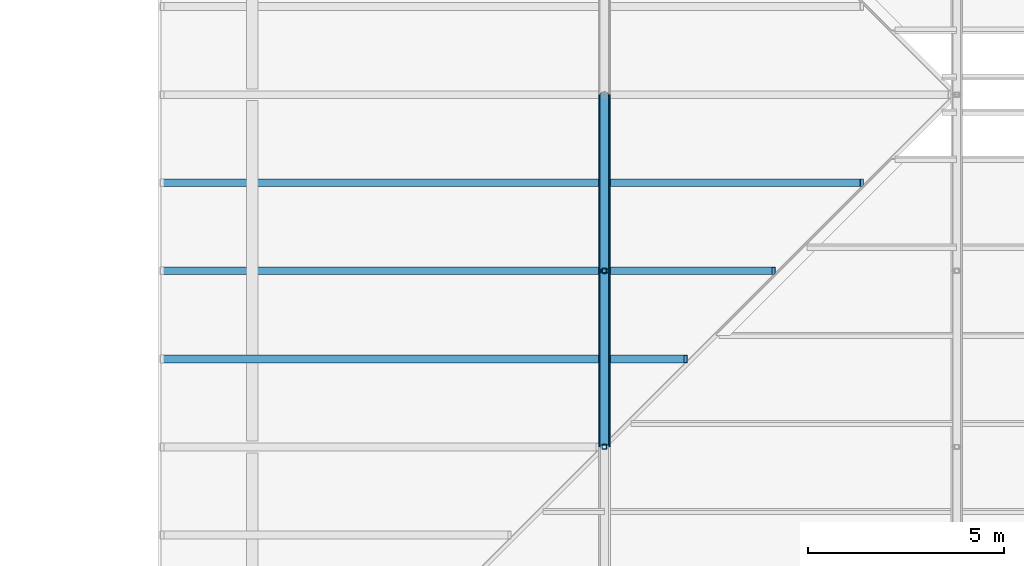
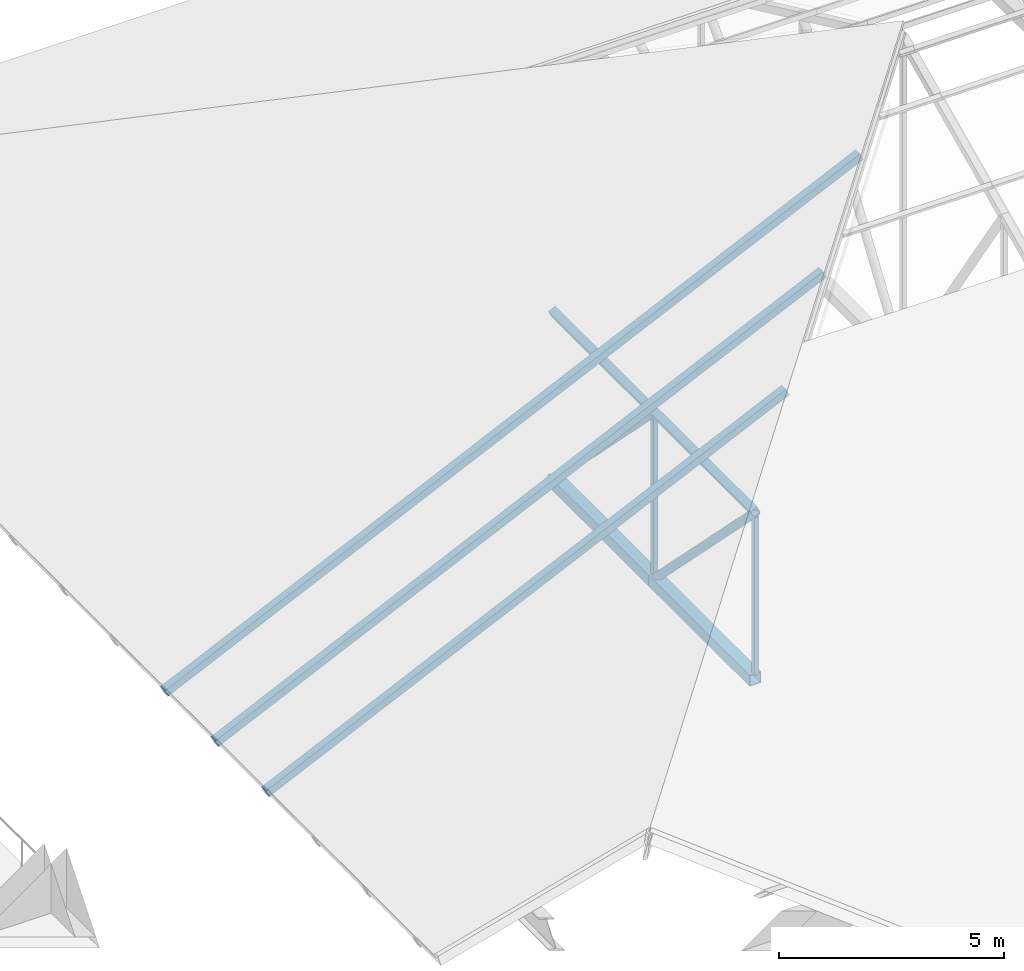
# One storey, part 50 of 154: 11 members.
"""IFC4 building model written with IfcOpenShell, lengths in metres."""

import ifcopenshell
import ifcopenshell.guid

model = None  # the IFC model being written
_history = None  # IfcOwnerHistory: only IFC2X3 demands one
_inside = {}  # id of a spatial element -> (the spatial element, [elements in it])
_under = {}  # id of a project, library or spatial element -> (it, [spatial elements below it])
_declared = {}  # id of a project -> (the project, [libraries it declares])
_typed = {}  # id of a type object -> (the type object, [elements of that type])
_made_of = {}  # id of a material, layer set ... -> (it, [elements and type objects made of it])


def new_model(schema):
    """Start an empty IFC model of exactly this schema.

    Asked for "IFC4X3", IfcOpenShell would pick the latest addendum, in which some entities
    have other attributes; the version numbers below select the first issue.
    IFC2X3 requires an IfcOwnerHistory on every rooted entity: one is made here for all.
    """
    global model, _history
    if schema == "IFC4X3":
        model = ifcopenshell.file(schema_version=(4, 3, 0, 0))
    else:
        model = ifcopenshell.file(schema=schema)
    _inside.clear()
    _under.clear()
    _declared.clear()
    _typed.clear()
    _made_of.clear()
    _history = None
    if model.schema == "IFC2X3":
        org = make("IfcOrganization", Name="unknown")
        user = make(
            "IfcPersonAndOrganization",
            ThePerson=make("IfcPerson", FamilyName="unknown"),
            TheOrganization=org,
        )
        app = make(
            "IfcApplication",
            ApplicationDeveloper=org,
            Version="unknown",
            ApplicationFullName="unknown",
            ApplicationIdentifier="unknown",
        )
        _history = make(
            "IfcOwnerHistory",
            OwningUser=user,
            OwningApplication=app,
            ChangeAction="ADDED",
            CreationDate=0,
        )
    return model


def make(cls, **values):
    """One entity of the class cls with the attributes given. An attribute that is None is left unset."""
    return model.create_entity(
        cls, **{name: value for name, value in values.items() if value is not None}
    )


def rooted(cls, **values):
    """An entity with a GlobalId (a new one), such as an element, a storey or a relation."""
    return make(cls, GlobalId=ifcopenshell.guid.new(), OwnerHistory=_history, **values)


def si_unit(unit_type, name, prefix=None):
    """IfcSIUnit, for example si_unit("LENGTHUNIT", "METRE", prefix="MILLI")."""
    return make("IfcSIUnit", UnitType=unit_type, Prefix=prefix, Name=name)


def assignment(units):
    """IfcUnitAssignment: the units of a project."""
    return None if units is None else make("IfcUnitAssignment", Units=units)


def point(xyz):
    """IfcCartesianPoint."""
    return None if xyz is None else make("IfcCartesianPoint", Coordinates=xyz)


def direction(xyz):
    """IfcDirection."""
    return None if xyz is None else make("IfcDirection", DirectionRatios=xyz)


def frame(location, z_axis=None, x_axis=None):
    """IfcAxis2Placement3D, a coordinate frame: its origin and axes. An axis left out is left unset."""
    return make(
        "IfcAxis2Placement3D",
        Location=point(location),
        Axis=direction(z_axis),
        RefDirection=direction(x_axis),
    )


def frame_2d(location, x_axis=None):
    """IfcAxis2Placement2D, a coordinate frame in the plane: its origin and x axis."""
    return make(
        "IfcAxis2Placement2D", Location=point(location), RefDirection=direction(x_axis)
    )


def origin():
    """The frame at (0, 0, 0) with its axes left unset."""
    return frame((0.0, 0.0, 0.0))


def origin_2d():
    """The frame at (0, 0) in the plane with its x axis left unset."""
    return frame_2d((0.0, 0.0))


def place(relative_to, where):
    """IfcLocalPlacement: puts the frame where relative to a parent placement (None: the world)."""
    return make(
        "IfcLocalPlacement", PlacementRelTo=relative_to, RelativePlacement=where
    )


def context(
    kind, dimensions, precision=None, world=None, true_north=None, identifier=None
):
    """IfcGeometricRepresentationContext, for example the 3D "Model" context."""
    return make(
        "IfcGeometricRepresentationContext",
        ContextIdentifier=identifier,
        ContextType=kind,
        CoordinateSpaceDimension=dimensions,
        Precision=precision,
        WorldCoordinateSystem=world,
        TrueNorth=true_north,
    )


def subcontext(parent, identifier, kind, view, scale=None):
    """IfcGeometricRepresentationSubContext, for example "Body" below "Model"."""
    return make(
        "IfcGeometricRepresentationSubContext",
        ContextIdentifier=identifier,
        ContextType=kind,
        ParentContext=parent,
        TargetScale=scale,
        TargetView=view,
    )


def project(units=None, contexts=None):
    """IfcProject with its units and contexts."""
    return rooted(
        "IfcProject",
        Name="project",
        RepresentationContexts=contexts,
        UnitsInContext=assignment(units),
    )


def spatial(cls, under=None, at=None, **own):
    """A site, building, storey or space (cls), placed at a placement, below another one or the project."""
    s = rooted(cls, ObjectPlacement=at, **own)
    if under is not None:
        _under.setdefault(under.id(), (under, []))[1].append(s)
    return s


def profile(cls, at=None, kind="AREA", **sizes):
    """A parametric profile (cls). Its sizes go by their IFC names, for example OverallWidth=200.0."""
    return make(cls, ProfileType=kind, Position=at, **sizes)


def hollow_rectangle(**sizes):
    """IfcRectangleHollowProfileDef."""
    return profile("IfcRectangleHollowProfileDef", **sizes)


def hollow_circle(**sizes):
    """IfcCircleHollowProfileDef."""
    return profile("IfcCircleHollowProfileDef", **sizes)


def extrude(swept, where, along, depth):
    """IfcExtrudedAreaSolid: the profile swept, set in the frame where, extruded along a direction by depth."""
    return make(
        "IfcExtrudedAreaSolid",
        SweptArea=swept,
        Position=where,
        ExtrudedDirection=direction(along),
        Depth=depth,
    )


def shape(context_of_items, identifier, shape_type, items):
    """IfcShapeRepresentation: the items that make up one representation, for example the "Body"."""
    return make(
        "IfcShapeRepresentation",
        ContextOfItems=context_of_items,
        RepresentationIdentifier=identifier,
        RepresentationType=shape_type,
        Items=items,
    )


def material(Name=None, Category=None):
    """IfcMaterial."""
    return make("IfcMaterial", Name=Name, Category=Category)


def material_profile(
    of_material, cross_section, Name=None, Category=None, Priority=None
):
    """IfcMaterialProfile: a cross section and its material."""
    return make(
        "IfcMaterialProfile",
        Name=Name,
        Material=of_material,
        Profile=cross_section,
        Priority=Priority,
        Category=Category,
    )


def profile_set(profiles, Name=None, composite=None):
    """IfcMaterialProfileSet."""
    return make(
        "IfcMaterialProfileSet",
        Name=Name,
        MaterialProfiles=profiles,
        CompositeProfile=composite,
    )


def made_of(thing, what):
    """Note that an element or type object is made of a material, layer set ...; save() writes the relation."""
    if what is not None:
        _made_of.setdefault(what.id(), (what, []))[1].append(thing)
    return thing


def type_object(cls, material=None, **own):
    """A type object (cls), such as IfcWallType, which elements share."""
    return made_of(rooted(cls, **own), material)


def element(
    cls,
    number,
    at=None,
    inside=None,
    cuts=None,
    type_object=None,
    material=None,
    context=None,
    identifier="Body",
    shape_type=None,
    held_by="IfcProductDefinitionShape",
    body=None,
    shapes=None,
    **own,
):
    """One element of the class cls, such as IfcWall. Its Tag is "e" and its number.

    at: its placement. inside: the storey or other place that contains it. cuts: it is an
    opening in that element (IfcRelVoidsElement). A single representation is given by context,
    identifier, shape_type and body (its items); several are given by shapes. held_by: the class
    of the entity that holds the representations. save() writes the other relations.
    """
    e = rooted(cls, Tag="e%d" % number, ObjectPlacement=at, **own)
    if body is not None:
        shapes = [shape(context, identifier, shape_type, body)]
    if shapes is not None:
        e.Representation = make(held_by, Representations=shapes)
    if inside is not None:
        _inside.setdefault(inside.id(), (inside, []))[1].append(e)
    if cuts is not None:
        rooted(
            "IfcRelVoidsElement", RelatingBuildingElement=cuts, RelatedOpeningElement=e
        )
    if type_object is not None:
        _typed.setdefault(type_object.id(), (type_object, []))[1].append(e)
    return made_of(e, material)


def aggregate(whole, parts):
    """IfcRelAggregates: a whole, such as a stair, and the parts it consists of."""
    return rooted("IfcRelAggregates", RelatingObject=whole, RelatedObjects=parts)


def save(model, path):
    """Write the relations noted so far, then the file.

    IfcRelAggregates (storeys below a building ...), IfcRelContainedInSpatialStructure (elements
    in a storey), IfcRelDefinesByType, IfcRelAssociatesMaterial and IfcRelDeclares: one each for
    every whole, place, type object, material and project.
    """
    for whole, parts in _under.values():
        aggregate(whole, parts)
    for where, things in _inside.values():
        rooted(
            "IfcRelContainedInSpatialStructure",
            RelatedElements=things,
            RelatingStructure=where,
        )
    for kind, things in _typed.values():
        rooted("IfcRelDefinesByType", RelatedObjects=things, RelatingType=kind)
    for what, things in _made_of.values():
        rooted("IfcRelAssociatesMaterial", RelatedObjects=things, RelatingMaterial=what)
    for by, libraries in _declared.values():
        rooted("IfcRelDeclares", RelatingContext=by, RelatedDefinitions=libraries)
    model.write(path)


model = new_model("IFC4")

# Units and contexts
model_context = context("Model", 3, precision=1e-05, world=origin(), true_north=direction((0.0, 1.0)))
body_context = subcontext(model_context, "Body", "Model", "MODEL_VIEW")
ifc_project = project(units=[si_unit("LENGTHUNIT", "METRE"), si_unit("AREAUNIT", "SQUARE_METRE"), si_unit("VOLUMEUNIT", "CUBIC_METRE"), si_unit("PLANEANGLEUNIT", "RADIAN"), si_unit("MASSUNIT", "GRAM", prefix="KILO")], contexts=[model_context])

# Site, building, storey
site_placement = place(None, origin())
site = spatial("IfcSite", under=ifc_project, at=site_placement, CompositionType="ELEMENT")
building_placement = place(site_placement, origin())
building = spatial("IfcBuilding", under=site, at=building_placement, Name="Golden Quay Civic Hall", CompositionType="ELEMENT")
storey_placement = place(building_placement, frame((0.0, 0.0, 14.39990234375)))
storey = spatial("IfcBuildingStorey", under=building, at=storey_placement, Name="L03", CompositionType="ELEMENT", Elevation=14.39990234375)

# Members
ifc_material_1 = material(Name="Steel S355", Category="steel")
ifc_material_profile_1 = material_profile(ifc_material_1, hollow_rectangle(XDim=0.199951171875, YDim=0.199951171875, WallThickness=0.010009765625, at=origin_2d()), Name="SHS 200x200x10")
ifc_profile_set_1 = profile_set([ifc_material_profile_1], Name="Steel S355")
member_type_1 = type_object("IfcMemberType", Name="Steel jack rafter SHS 200x200x10", PredefinedType="RAFTER", material=ifc_profile_set_1)
member_1_placement = place(storey_placement, frame((114.699951171875, 74.25, -0.56787109375), z_axis=(0.906309046368, 0.0, 0.422615561086), x_axis=(0.0, 1.0, 0.0)))
element("IfcMember", 1, at=member_1_placement, inside=storey, type_object=member_type_1, Name="Jack rafter west 5 L03", PredefinedType="RAFTER", context=body_context, shape_type="SweptSolid", body=[
    extrude(hollow_rectangle(XDim=0.199951171875, YDim=0.199951171875, WallThickness=0.010009765625, at=origin_2d()), origin(), (0.0, 0.0, 1.0), 14.757568359375),
])
member_2_placement = place(storey_placement, frame((114.699951171875, 76.5, -0.56787109375), z_axis=(0.906311530238, 0.0, 0.422610234326), x_axis=(0.0, 1.0, 0.0)))
element("IfcMember", 2, at=member_2_placement, inside=storey, type_object=member_type_1, Name="Jack rafter west 6 L03", PredefinedType="RAFTER", context=body_context, shape_type="SweptSolid", body=[
    extrude(hollow_rectangle(XDim=0.199951171875, YDim=0.199951171875, WallThickness=0.010009765625, at=origin_2d()), origin(), (0.0, 0.0, 1.0), 17.240234375),
])
member_3_placement = place(storey_placement, frame((114.699951171875, 78.75, -0.56787109375), z_axis=(0.906308647572, 0.0, 0.422616416313), x_axis=(0.0, 1.0, 0.0)))
element("IfcMember", 3, at=member_3_placement, inside=storey, type_object=member_type_1, Name="Jack rafter west 7 L03", PredefinedType="RAFTER", context=body_context, shape_type="SweptSolid", body=[
    extrude(hollow_rectangle(XDim=0.199951171875, YDim=0.199951171875, WallThickness=0.010009765625, at=origin_2d()), origin(), (0.0, 0.0, 1.0), 19.722900390625),
])
ifc_material_2 = material(Name="Steel S355", Category="steel")
ifc_material_profile_2 = material_profile(ifc_material_2, hollow_rectangle(XDim=0.300048828125, YDim=0.300048828125, WallThickness=0.01611328125, at=origin_2d()), Name="SHS 300x300x16")
ifc_profile_set_2 = profile_set([ifc_material_profile_2], Name="Steel S355")
member_type_2 = type_object("IfcMemberType", Name="Steel truss bottom chord SHS 300x300x16", PredefinedType="USERDEFINED", material=ifc_profile_set_2)
for number, where, z_axis, x_axis, name in (
    (4, (126.0, 72.0, -0.099853515625), (0.0, 1.0, 0.0), (-1.0, 0.0, 0.0), "Truss 126 bottom chord 3 L03"),
    (5, (126.0, 76.5, -0.099853515625), (0.0, 1.0, 0.0), (-1.0, 0.0, 0.0), "Truss 126 bottom chord 4 L03"),
):
    element("IfcMember", number, at=place(storey_placement, frame(where, z_axis=z_axis, x_axis=x_axis)), inside=storey, type_object=member_type_2, Name=name, ObjectType="TRUSS BOTTOM CHORD", PredefinedType="USERDEFINED", context=body_context, shape_type="SweptSolid", body=[
        extrude(hollow_rectangle(XDim=0.300048828125, YDim=0.300048828125, WallThickness=0.01611328125, at=origin_2d()), origin(), (0.0, 0.0, 1.0), 4.5),
    ])
ifc_material_3 = material(Name="Steel S355", Category="steel")
ifc_material_profile_3 = material_profile(ifc_material_3, hollow_circle(Radius=0.109619140625, WallThickness=0.010009765625, at=origin_2d()), Name="CHS 219.1x10")
ifc_profile_set_3 = profile_set([ifc_material_profile_3], Name="Steel S355")
member_type_3 = type_object("IfcMemberType", Name="Steel truss diagonal CHS 219.1x10", PredefinedType="BRACE", material=ifc_profile_set_3)
for number, where, z_axis, x_axis, name in (
    (6, (126.0, 72.0, 4.4365234375), (0.0, 0.704254536807, -0.709947566646), (-1.0, 0.0, 0.0), "Truss 126 diagonal 3 L03"),
    (7, (126.0, 76.5, 4.4365234375), (0.0, 0.704254536807, -0.709947566646), (-1.0, 0.0, 0.0), "Truss 126 diagonal 4 L03"),
):
    element("IfcMember", number, at=place(storey_placement, frame(where, z_axis=z_axis, x_axis=x_axis)), inside=storey, type_object=member_type_3, Name=name, PredefinedType="BRACE", context=body_context, shape_type="SweptSolid", body=[
        extrude(hollow_circle(Radius=0.109619140625, WallThickness=0.010009765625, at=origin_2d()), origin(), (0.0, 0.0, 1.0), 6.3896484375),
    ])
ifc_material_4 = material(Name="Steel S355", Category="steel")
ifc_material_profile_4 = material_profile(ifc_material_4, hollow_rectangle(XDim=0.1201171875, YDim=0.1201171875, WallThickness=0.008056640625, at=origin_2d()), Name="SHS 120x120x8")
ifc_profile_set_4 = profile_set([ifc_material_profile_4], Name="Steel S355")
member_type_4 = type_object("IfcMemberType", Name="Steel truss post SHS 120x120x8", PredefinedType="USERDEFINED", material=ifc_profile_set_4)
for number, where, z_axis, x_axis, name in (
    (8, (126.0, 72.0, 0.050048828125), (0.0, 0.0, 1.0), (1.0, 0.0, 0.0), "Truss 126 post 3 L03"),
    (9, (126.0, 76.5, 0.050048828125), (0.0, 0.0, 1.0), (1.0, 0.0, 0.0), "Truss 126 post 4 L03"),
):
    element("IfcMember", number, at=place(storey_placement, frame(where, z_axis=z_axis, x_axis=x_axis)), inside=storey, type_object=member_type_4, Name=name, ObjectType="TRUSS POST", PredefinedType="USERDEFINED", context=body_context, shape_type="SweptSolid", body=[
        extrude(hollow_rectangle(XDim=0.1201171875, YDim=0.1201171875, WallThickness=0.008056640625, at=origin_2d()), origin(), (0.0, 0.0, 1.0), 4.276123046875),
    ])
ifc_material_5 = material(Name="Steel S355", Category="steel")
ifc_material_profile_5 = material_profile(ifc_material_5, hollow_rectangle(XDim=0.199951171875, YDim=0.199951171875, WallThickness=0.010009765625, at=origin_2d()), Name="SHS 200x200x10")
ifc_profile_set_5 = profile_set([ifc_material_profile_5], Name="Steel S355")
member_type_5 = type_object("IfcMemberType", Name="Steel truss top chord SHS 200x200x10", PredefinedType="USERDEFINED", material=ifc_profile_set_5)
for number, where, z_axis, x_axis, name in (
    (10, (126.0, 72.0, 4.4365234375), (0.0, 1.0, 0.0), (-0.906307787037, 0.0, -0.422618261741), "Truss 126 top chord 4 L03"),
    (11, (126.0, 76.5, 4.4365234375), (0.0, 1.0, 0.0), (-0.906307787037, 0.0, -0.422618261741), "Truss 126 top chord 5 L03"),
):
    element("IfcMember", number, at=place(storey_placement, frame(where, z_axis=z_axis, x_axis=x_axis)), inside=storey, type_object=member_type_5, Name=name, ObjectType="TRUSS TOP CHORD", PredefinedType="USERDEFINED", context=body_context, shape_type="SweptSolid", body=[
        extrude(hollow_rectangle(XDim=0.199951171875, YDim=0.199951171875, WallThickness=0.010009765625, at=origin_2d()), origin(), (0.0, 0.0, 1.0), 4.5),
    ])

save(model, "model.ifc")
